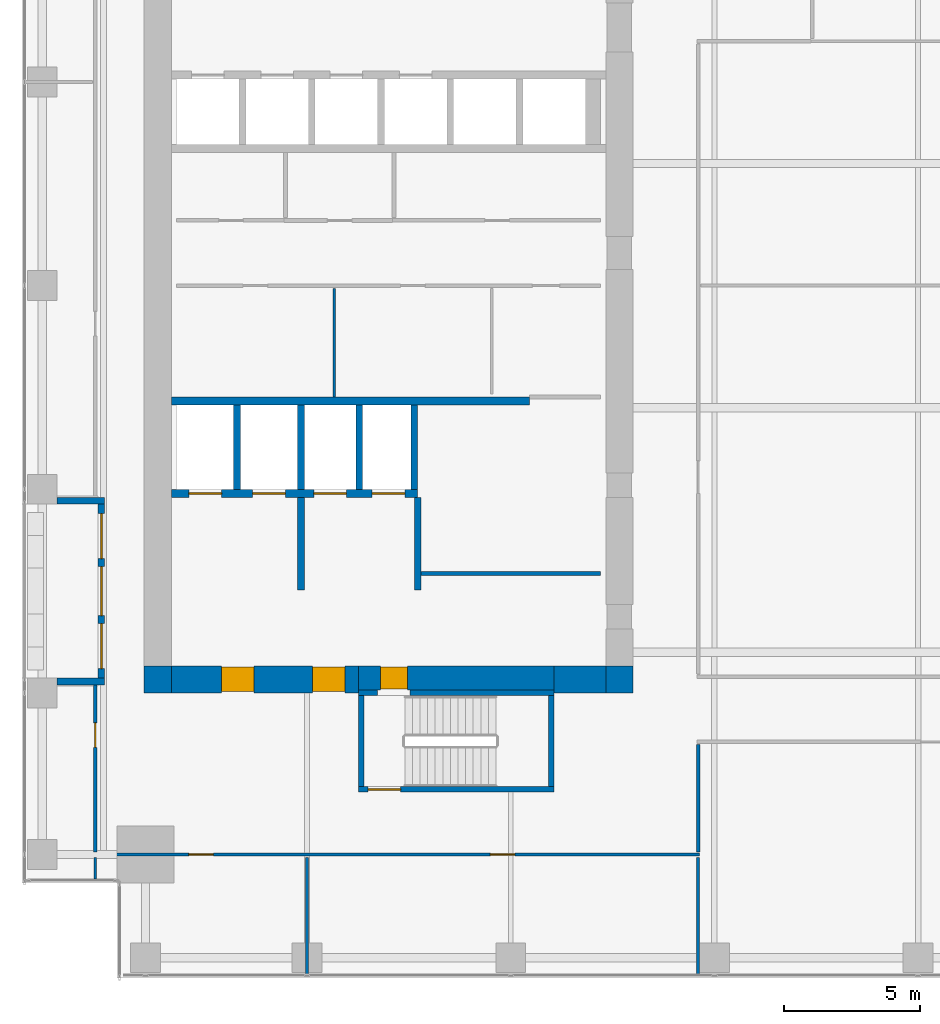
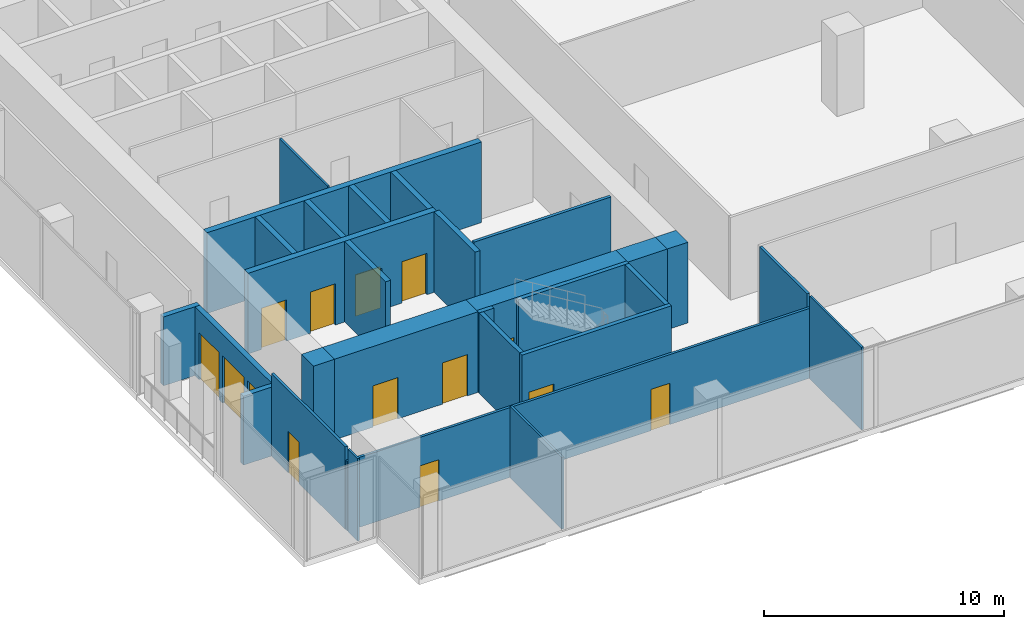
# One storey, part 27 of 33: 29 walls, 12 doors, 2 windows, 14 openings.
"""IFC4 building model written with IfcOpenShell, lengths in metres."""

import ifcopenshell
import ifcopenshell.guid

model = None  # the IFC model being written
_history = None  # IfcOwnerHistory: only IFC2X3 demands one
_inside = {}  # id of a spatial element -> (the spatial element, [elements in it])
_under = {}  # id of a project, library or spatial element -> (it, [spatial elements below it])
_declared = {}  # id of a project -> (the project, [libraries it declares])
_typed = {}  # id of a type object -> (the type object, [elements of that type])
_made_of = {}  # id of a material, layer set ... -> (it, [elements and type objects made of it])


def new_model(schema):
    """Start an empty IFC model of exactly this schema.

    Asked for "IFC4X3", IfcOpenShell would pick the latest addendum, in which some entities
    have other attributes; the version numbers below select the first issue.
    IFC2X3 requires an IfcOwnerHistory on every rooted entity: one is made here for all.
    """
    global model, _history
    if schema == "IFC4X3":
        model = ifcopenshell.file(schema_version=(4, 3, 0, 0))
    else:
        model = ifcopenshell.file(schema=schema)
    _inside.clear()
    _under.clear()
    _declared.clear()
    _typed.clear()
    _made_of.clear()
    _history = None
    if model.schema == "IFC2X3":
        org = make("IfcOrganization", Name="unknown")
        user = make(
            "IfcPersonAndOrganization",
            ThePerson=make("IfcPerson", FamilyName="unknown"),
            TheOrganization=org,
        )
        app = make(
            "IfcApplication",
            ApplicationDeveloper=org,
            Version="unknown",
            ApplicationFullName="unknown",
            ApplicationIdentifier="unknown",
        )
        _history = make(
            "IfcOwnerHistory",
            OwningUser=user,
            OwningApplication=app,
            ChangeAction="ADDED",
            CreationDate=0,
        )
    return model


def make(cls, **values):
    """One entity of the class cls with the attributes given. An attribute that is None is left unset."""
    return model.create_entity(
        cls, **{name: value for name, value in values.items() if value is not None}
    )


def rooted(cls, **values):
    """An entity with a GlobalId (a new one), such as an element, a storey or a relation."""
    return make(cls, GlobalId=ifcopenshell.guid.new(), OwnerHistory=_history, **values)


def si_unit(unit_type, name, prefix=None):
    """IfcSIUnit, for example si_unit("LENGTHUNIT", "METRE", prefix="MILLI")."""
    return make("IfcSIUnit", UnitType=unit_type, Prefix=prefix, Name=name)


def assignment(units):
    """IfcUnitAssignment: the units of a project."""
    return None if units is None else make("IfcUnitAssignment", Units=units)


def point(xyz):
    """IfcCartesianPoint."""
    return None if xyz is None else make("IfcCartesianPoint", Coordinates=xyz)


def direction(xyz):
    """IfcDirection."""
    return None if xyz is None else make("IfcDirection", DirectionRatios=xyz)


def frame(location, z_axis=None, x_axis=None):
    """IfcAxis2Placement3D, a coordinate frame: its origin and axes. An axis left out is left unset."""
    return make(
        "IfcAxis2Placement3D",
        Location=point(location),
        Axis=direction(z_axis),
        RefDirection=direction(x_axis),
    )


def frame_2d(location, x_axis=None):
    """IfcAxis2Placement2D, a coordinate frame in the plane: its origin and x axis."""
    return make(
        "IfcAxis2Placement2D", Location=point(location), RefDirection=direction(x_axis)
    )


def origin():
    """The frame at (0, 0, 0) with its axes left unset."""
    return frame((0.0, 0.0, 0.0))


def place(relative_to, where):
    """IfcLocalPlacement: puts the frame where relative to a parent placement (None: the world)."""
    return make(
        "IfcLocalPlacement", PlacementRelTo=relative_to, RelativePlacement=where
    )


def context(
    kind, dimensions, precision=None, world=None, true_north=None, identifier=None
):
    """IfcGeometricRepresentationContext, for example the 3D "Model" context."""
    return make(
        "IfcGeometricRepresentationContext",
        ContextIdentifier=identifier,
        ContextType=kind,
        CoordinateSpaceDimension=dimensions,
        Precision=precision,
        WorldCoordinateSystem=world,
        TrueNorth=true_north,
    )


def subcontext(parent, identifier, kind, view, scale=None):
    """IfcGeometricRepresentationSubContext, for example "Body" below "Model"."""
    return make(
        "IfcGeometricRepresentationSubContext",
        ContextIdentifier=identifier,
        ContextType=kind,
        ParentContext=parent,
        TargetScale=scale,
        TargetView=view,
    )


def project(units=None, contexts=None):
    """IfcProject with its units and contexts."""
    return rooted(
        "IfcProject",
        Name="project",
        RepresentationContexts=contexts,
        UnitsInContext=assignment(units),
    )


def spatial(cls, under=None, at=None, **own):
    """A site, building, storey or space (cls), placed at a placement, below another one or the project."""
    s = rooted(cls, ObjectPlacement=at, **own)
    if under is not None:
        _under.setdefault(under.id(), (under, []))[1].append(s)
    return s


def profile(cls, at=None, kind="AREA", **sizes):
    """A parametric profile (cls). Its sizes go by their IFC names, for example OverallWidth=200.0."""
    return make(cls, ProfileType=kind, Position=at, **sizes)


def rectangle(**sizes):
    """IfcRectangleProfileDef."""
    return profile("IfcRectangleProfileDef", **sizes)


def extrude(swept, where, along, depth):
    """IfcExtrudedAreaSolid: the profile swept, set in the frame where, extruded along a direction by depth."""
    return make(
        "IfcExtrudedAreaSolid",
        SweptArea=swept,
        Position=where,
        ExtrudedDirection=direction(along),
        Depth=depth,
    )


def shape(context_of_items, identifier, shape_type, items):
    """IfcShapeRepresentation: the items that make up one representation, for example the "Body"."""
    return make(
        "IfcShapeRepresentation",
        ContextOfItems=context_of_items,
        RepresentationIdentifier=identifier,
        RepresentationType=shape_type,
        Items=items,
    )


def source(mapping_origin, context_of_items, identifier, shape_type, items):
    """IfcRepresentationMap: a shape defined once, which mapped items show again and again."""
    return make(
        "IfcRepresentationMap",
        MappingOrigin=mapping_origin,
        MappedRepresentation=shape(context_of_items, identifier, shape_type, items),
    )


def transform(
    local_origin,
    x_axis=None,
    y_axis=None,
    z_axis=None,
    scale=None,
    scale2=None,
    scale3=None,
    uniform=True,
):
    """IfcCartesianTransformationOperator3D, or its non-uniform kind. x_axis, y_axis, z_axis: its Axis1, 2, 3."""
    if uniform:
        return make(
            "IfcCartesianTransformationOperator3D",
            Axis1=direction(x_axis),
            Axis2=direction(y_axis),
            LocalOrigin=point(local_origin),
            Scale=scale,
            Axis3=direction(z_axis),
        )
    return make(
        "IfcCartesianTransformationOperator3DnonUniform",
        Axis1=direction(x_axis),
        Axis2=direction(y_axis),
        LocalOrigin=point(local_origin),
        Scale=scale,
        Axis3=direction(z_axis),
        Scale2=scale2,
        Scale3=scale3,
    )


def mapped(mapping_source, mapping_target):
    """IfcMappedItem: shows the shape of a source again, moved by a transform."""
    return make(
        "IfcMappedItem", MappingSource=mapping_source, MappingTarget=mapping_target
    )


def material(Name=None, Category=None):
    """IfcMaterial."""
    return make("IfcMaterial", Name=Name, Category=Category)


def layer(
    of_material, thickness, ventilated=None, Name=None, Category=None, Priority=None
):
    """IfcMaterialLayer: one layer of a wall or slab, of a material (None: an air gap)."""
    return make(
        "IfcMaterialLayer",
        Material=of_material,
        LayerThickness=thickness,
        IsVentilated=ventilated,
        Name=Name,
        Category=Category,
        Priority=Priority,
    )


def layer_set(layers, Name=None):
    """IfcMaterialLayerSet."""
    return make("IfcMaterialLayerSet", MaterialLayers=layers, LayerSetName=Name)


def made_of(thing, what):
    """Note that an element or type object is made of a material, layer set ...; save() writes the relation."""
    if what is not None:
        _made_of.setdefault(what.id(), (what, []))[1].append(thing)
    return thing


def type_object(cls, material=None, **own):
    """A type object (cls), such as IfcWallType, which elements share."""
    return made_of(rooted(cls, **own), material)


def element(
    cls,
    number,
    at=None,
    inside=None,
    cuts=None,
    type_object=None,
    material=None,
    context=None,
    identifier="Body",
    shape_type=None,
    held_by="IfcProductDefinitionShape",
    body=None,
    shapes=None,
    **own,
):
    """One element of the class cls, such as IfcWall. Its Tag is "e" and its number.

    at: its placement. inside: the storey or other place that contains it. cuts: it is an
    opening in that element (IfcRelVoidsElement). A single representation is given by context,
    identifier, shape_type and body (its items); several are given by shapes. held_by: the class
    of the entity that holds the representations. save() writes the other relations.
    """
    e = rooted(cls, Tag="e%d" % number, ObjectPlacement=at, **own)
    if body is not None:
        shapes = [shape(context, identifier, shape_type, body)]
    if shapes is not None:
        e.Representation = make(held_by, Representations=shapes)
    if inside is not None:
        _inside.setdefault(inside.id(), (inside, []))[1].append(e)
    if cuts is not None:
        rooted(
            "IfcRelVoidsElement", RelatingBuildingElement=cuts, RelatedOpeningElement=e
        )
    if type_object is not None:
        _typed.setdefault(type_object.id(), (type_object, []))[1].append(e)
    return made_of(e, material)


def fill(opening, filler):
    """IfcRelFillsElement: the door or window that sits in an opening."""
    return rooted(
        "IfcRelFillsElement",
        RelatingOpeningElement=opening,
        RelatedBuildingElement=filler,
    )


def aggregate(whole, parts):
    """IfcRelAggregates: a whole, such as a stair, and the parts it consists of."""
    return rooted("IfcRelAggregates", RelatingObject=whole, RelatedObjects=parts)


def save(model, path):
    """Write the relations noted so far, then the file.

    IfcRelAggregates (storeys below a building ...), IfcRelContainedInSpatialStructure (elements
    in a storey), IfcRelDefinesByType, IfcRelAssociatesMaterial and IfcRelDeclares: one each for
    every whole, place, type object, material and project.
    """
    for whole, parts in _under.values():
        aggregate(whole, parts)
    for where, things in _inside.values():
        rooted(
            "IfcRelContainedInSpatialStructure",
            RelatedElements=things,
            RelatingStructure=where,
        )
    for kind, things in _typed.values():
        rooted("IfcRelDefinesByType", RelatedObjects=things, RelatingType=kind)
    for what, things in _made_of.values():
        rooted("IfcRelAssociatesMaterial", RelatedObjects=things, RelatingMaterial=what)
    for by, libraries in _declared.values():
        rooted("IfcRelDeclares", RelatingContext=by, RelatedDefinitions=libraries)
    model.write(path)


model = new_model("IFC4")

# Units and contexts
model_context = context("Model", 3, precision=1e-05, world=origin(), true_north=direction((0.0, 1.0)))
body_context = subcontext(model_context, "Body", "Model", "MODEL_VIEW")
ifc_project = project(units=[si_unit("LENGTHUNIT", "METRE"), si_unit("AREAUNIT", "SQUARE_METRE"), si_unit("VOLUMEUNIT", "CUBIC_METRE"), si_unit("PLANEANGLEUNIT", "RADIAN"), si_unit("MASSUNIT", "GRAM", prefix="KILO")], contexts=[model_context])

# Site, building, storey
site_placement = place(None, origin())
site = spatial("IfcSite", under=ifc_project, at=site_placement, CompositionType="ELEMENT")
building_placement = place(site_placement, origin())
building = spatial("IfcBuilding", under=site, at=building_placement, Name="Khomas Fold Tower", CompositionType="ELEMENT")
storey_placement = place(building_placement, frame((0.0, 0.0, 149.89990234375)))
storey = spatial("IfcBuildingStorey", under=building, at=storey_placement, Name="L32", CompositionType="ELEMENT", Elevation=149.89990234375)

# Wall, openings, doors
ifc_material_1 = material(Name="Concrete C70/85", Category="concrete")
ifc_layer_1 = layer(ifc_material_1, 1.0)
ifc_layer_set_1 = layer_set([ifc_layer_1], Name="Concrete C70/85")
wall_type_1 = type_object("IfcWallType", Name="Core wall 1000", PredefinedType="SHEAR", material=ifc_layer_set_1)
shared_shape_1 = source(origin(), body_context, "Body", "SweptSolid", [
    extrude(rectangle(XDim=6.89990234375, YDim=1.0, at=frame_2d((3.449951171875, 0.0))), origin(), (0.0, 0.0, 1.0), 4.10009765625),
])
wall_1_placement = place(storey_placement, frame((7.0, 12.5, 0.0), z_axis=(0.0, 0.0, 1.0), x_axis=(1.0, 0.0, 0.0)))
wall_1 = element("IfcWall", 1, at=wall_1_placement, inside=storey, type_object=wall_type_1, Name="Core wall CW-L-S-L21", PredefinedType="SHEAR", context=body_context, shape_type="MappedRepresentation", body=[
    mapped(shared_shape_1, transform((0.0, 0.0, 0.0))),
])
shared_shape_2 = source(origin(), body_context, "Body", "SweptSolid", [
    extrude(rectangle(XDim=1.199951171875, YDim=2.10009765625, at=frame_2d((0.60009765625, 1.050048828125))), frame((0.0, 0.510009765625, 0.0), z_axis=(0.0, -1.0, 0.0), x_axis=(1.0, 0.0, 0.0)), (0.0, 0.0, 1.0), 1.02001953125),
])
opening_1_placement = place(wall_1_placement, frame((5.199951171875, 0.0, 0.0)))
opening_1 = element("IfcOpeningElement", 2, at=opening_1_placement, cuts=wall_1, Name="Opening 0009", PredefinedType="OPENING", context=body_context, shape_type="MappedRepresentation", body=[
    mapped(shared_shape_2, transform((0.0, 0.0, 0.0))),
])
opening_2_placement = place(wall_1_placement, frame((1.85009765625, 0.0, 0.0)))
opening_2 = element("IfcOpeningElement", 3, at=opening_2_placement, cuts=wall_1, Name="Opening 0009", PredefinedType="OPENING", context=body_context, shape_type="MappedRepresentation", body=[
    mapped(shared_shape_2, transform((0.0, 0.0, 0.0))),
])
ifc_material_2 = material(Name="Steel door leaf", Category="steel")
door_type_1 = type_object("IfcDoorType", Name="Lobby door 1200x2100 right-hand", OperationType="SINGLE_SWING_RIGHT", PredefinedType="DOOR", material=ifc_material_2)
shared_shape_3 = source(origin(), body_context, "Body", "SweptSolid", [
    extrude(rectangle(XDim=1.199951171875, YDim=2.10009765625, at=frame_2d((0.60009765625, 1.050048828125))), frame((0.0, 0.449951171875, 0.0), z_axis=(0.0, -1.0, 0.0), x_axis=(1.0, 0.0, 0.0)), (0.0, 0.0, 1.0), 0.89990234375),
])
door_1_placement = place(opening_1_placement, origin())
door_1 = element("IfcDoor", 4, at=door_1_placement, inside=storey, type_object=door_type_1, Name="Lobby door", OperationType="SINGLE_SWING_RIGHT", OverallHeight=2.10009765625, OverallWidth=1.199951171875, PredefinedType="DOOR", context=body_context, shape_type="MappedRepresentation", body=[
    mapped(shared_shape_3, transform((0.0, 0.0, 0.0))),
])
fill(opening_1, door_1)
door_2_placement = place(opening_2_placement, origin())
door_2 = element("IfcDoor", 5, at=door_2_placement, inside=storey, type_object=door_type_1, Name="Lobby door", OperationType="SINGLE_SWING_RIGHT", OverallHeight=2.10009765625, OverallWidth=1.199951171875, PredefinedType="DOOR", context=body_context, shape_type="MappedRepresentation", body=[
    mapped(shared_shape_3, transform((0.0, 0.0, 0.0))),
])
fill(opening_2, door_2)

# Walls
ifc_material_3 = material(Name="Concrete C70/85", Category="concrete")
ifc_layer_2 = layer(ifc_material_3, 1.0)
ifc_layer_set_2 = layer_set([ifc_layer_2], Name="Concrete C70/85")
wall_type_2 = type_object("IfcWallType", Name="Core corner wall 1000", PredefinedType="SHEAR", material=ifc_layer_set_2)
shared_shape_4 = source(origin(), body_context, "Body", "SweptSolid", [
    extrude(rectangle(XDim=1.0, YDim=1.0, at=frame_2d((0.5, 0.0))), origin(), (0.0, 0.0, 1.0), 4.10009765625),
])
for number, where, z_axis, x_axis, name in (
    (6, (23.0, 12.5, 0.0), (0.0, 0.0, 1.0), (1.0, 0.0, 0.0), "Core wall CW-L-SE-L21"),
    (7, (6.0, 12.5, 0.0), (0.0, 0.0, 1.0), (1.0, 0.0, 0.0), "Core wall CW-L-SW-L21"),
):
    element("IfcWall", number, at=place(storey_placement, frame(where, z_axis=z_axis, x_axis=x_axis)), inside=storey, type_object=wall_type_2, Name=name, PredefinedType="SHEAR", context=body_context, shape_type="MappedRepresentation", body=[
        mapped(shared_shape_4, transform((0.0, 0.0, 0.0))),
    ])

# Wall, opening, door
ifc_material_4 = material(Name="Concrete C70/85", Category="concrete")
ifc_layer_3 = layer(ifc_material_4, 0.89990234375)
ifc_layer_set_3 = layer_set([ifc_layer_3], Name="Concrete C70/85")
wall_type_3 = type_object("IfcWallType", Name="Core wall 900", PredefinedType="SHEAR", material=ifc_layer_set_3)
shared_shape_5 = source(origin(), body_context, "Body", "SweptSolid", [
    extrude(rectangle(XDim=7.2001953125, YDim=0.89990234375, at=frame_2d((3.60009765625, 0.0))), origin(), (0.0, 0.0, 1.0), 4.10009765625),
])
wall_2_placement = place(storey_placement, frame((13.89990234375, 12.550048828125, 0.0), z_axis=(0.0, 0.0, 1.0), x_axis=(1.0, 0.0, 0.0)))
wall_2 = element("IfcWall", 8, at=wall_2_placement, inside=storey, type_object=wall_type_3, Name="Core wall CW-L-S-L21-1", PredefinedType="SHEAR", context=body_context, shape_type="MappedRepresentation", body=[
    mapped(shared_shape_5, transform((0.0, 0.0, 0.0))),
])
shared_shape_6 = source(origin(), body_context, "Body", "SweptSolid", [
    extrude(rectangle(XDim=1.0, YDim=2.10009765625, at=frame_2d((0.5, 1.050048828125))), frame((0.0, 0.4599609375, 0.0), z_axis=(0.0, -1.0, 0.0), x_axis=(1.0, 0.0, 0.0)), (0.0, 0.0, 1.0), 0.919921875),
])
opening_3_placement = place(wall_2_placement, frame((0.800048828125, 0.0, 0.0)))
opening_3 = element("IfcOpeningElement", 9, at=opening_3_placement, cuts=wall_2, Name="Opening 0010", PredefinedType="OPENING", context=body_context, shape_type="MappedRepresentation", body=[
    mapped(shared_shape_6, transform((0.0, 0.0, 0.0))),
])
ifc_material_5 = material(Name="Steel door leaf", Category="steel")
door_type_2 = type_object("IfcDoorType", Name="Stair door 1000x2100 right-hand", OperationType="SINGLE_SWING_RIGHT", PredefinedType="DOOR", material=ifc_material_5)
shared_shape_7 = source(origin(), body_context, "Body", "SweptSolid", [
    extrude(rectangle(XDim=1.0, YDim=2.10009765625, at=frame_2d((0.5, 1.050048828125))), frame((0.0, 0.39990234375, 0.0), z_axis=(0.0, -1.0, 0.0), x_axis=(1.0, 0.0, 0.0)), (0.0, 0.0, 1.0), 0.7998046875),
])
door_3_placement = place(opening_3_placement, origin())
door_3 = element("IfcDoor", 10, at=door_3_placement, inside=storey, type_object=door_type_2, Name="Stair door", OperationType="SINGLE_SWING_RIGHT", OverallHeight=2.10009765625, OverallWidth=1.0, PredefinedType="DOOR", context=body_context, shape_type="MappedRepresentation", body=[
    mapped(shared_shape_7, transform((0.0, 0.0, 0.0))),
])
fill(opening_3, door_3)

# Walls
shared_shape_8 = source(origin(), body_context, "Body", "SweptSolid", [
    extrude(rectangle(XDim=1.89990234375, YDim=1.0, at=frame_2d((0.949951171875, 0.0))), origin(), (0.0, 0.0, 1.0), 4.10009765625),
])
wall_3_placement = place(storey_placement, frame((21.10009765625, 12.5, 0.0), z_axis=(0.0, 0.0, 1.0), x_axis=(1.0, 0.0, 0.0)))
element("IfcWall", 11, at=wall_3_placement, inside=storey, type_object=wall_type_1, Name="Core wall CW-L-S-L21-2", PredefinedType="SHEAR", context=body_context, shape_type="MappedRepresentation", body=[
    mapped(shared_shape_8, transform((0.0, 0.0, 0.0))),
])
ifc_material_6 = material(Name="Concrete C50/60", Category="concrete")
ifc_layer_4 = layer(ifc_material_6, 0.199951171875)
ifc_layer_set_4 = layer_set([ifc_layer_4], Name="Concrete C50/60")
wall_type_4 = type_object("IfcWallType", Name="Stair wall 200", PredefinedType="SHEAR", material=ifc_layer_set_4)
shared_shape_9 = source(origin(), body_context, "Body", "SweptSolid", [
    extrude(rectangle(XDim=0.7001953125, YDim=0.199951171875, at=frame_2d((0.35009765625, 0.0))), origin(), (0.0, 0.0, 1.0), 4.10009765625),
])
wall_4_placement = place(storey_placement, frame((13.89990234375, 12.0, 0.0), z_axis=(0.0, 0.0, 1.0), x_axis=(1.0, 0.0, 0.0)))
element("IfcWall", 12, at=wall_4_placement, inside=storey, type_object=wall_type_4, Name="Stair wall SW-ST2-N", PredefinedType="SHEAR", context=body_context, shape_type="MappedRepresentation", body=[
    mapped(shared_shape_9, transform((0.0, 0.0, 0.0))),
])
shared_shape_10 = source(origin(), body_context, "Body", "SweptSolid", [
    extrude(rectangle(XDim=5.300048828125, YDim=0.199951171875, at=frame_2d((2.64990234375, 0.0))), origin(), (0.0, 0.0, 1.0), 4.10009765625),
])
wall_5_placement = place(storey_placement, frame((15.800048828125, 12.0, 0.0), z_axis=(0.0, 0.0, 1.0), x_axis=(1.0, 0.0, 0.0)))
element("IfcWall", 13, at=wall_5_placement, inside=storey, type_object=wall_type_4, Name="Stair wall SW-ST2-NB", PredefinedType="SHEAR", context=body_context, shape_type="MappedRepresentation", body=[
    mapped(shared_shape_10, transform((0.0, 0.0, 0.0))),
])

# Wall, opening, door
shared_shape_11 = source(origin(), body_context, "Body", "SweptSolid", [
    extrude(rectangle(XDim=7.2001953125, YDim=0.199951171875, at=frame_2d((3.60009765625, 0.0))), origin(), (0.0, 0.0, 1.0), 4.10009765625),
])
wall_6_placement = place(storey_placement, frame((13.89990234375, 8.449951171875, 0.0), z_axis=(0.0, 0.0, 1.0), x_axis=(1.0, 0.0, 0.0)))
wall_6 = element("IfcWall", 14, at=wall_6_placement, inside=storey, type_object=wall_type_4, Name="Stair wall SW-ST2-S", PredefinedType="SHEAR", context=body_context, shape_type="MappedRepresentation", body=[
    mapped(shared_shape_11, transform((0.0, 0.0, 0.0))),
])
shared_shape_12 = source(origin(), body_context, "Body", "SweptSolid", [
    extrude(rectangle(XDim=1.199951171875, YDim=2.10009765625, at=frame_2d((0.60009765625, 1.050048828125))), frame((0.0, 0.10986328125, 0.0), z_axis=(0.0, -1.0, 0.0), x_axis=(1.0, 0.0, 0.0)), (0.0, 0.0, 1.0), 0.219970703125),
])
opening_4_placement = place(wall_6_placement, frame((0.35009765625, 0.0, 0.0)))
opening_4 = element("IfcOpeningElement", 15, at=opening_4_placement, cuts=wall_6, Name="Opening SD-ST2", PredefinedType="OPENING", context=body_context, shape_type="MappedRepresentation", body=[
    mapped(shared_shape_12, transform((0.0, 0.0, 0.0))),
])
ifc_material_7 = material(Name="Steel door leaf", Category="steel")
door_type_3 = type_object("IfcDoorType", Name="Stair door 1200x2100 right-hand", OperationType="SINGLE_SWING_RIGHT", PredefinedType="DOOR", material=ifc_material_7)
shared_shape_13 = source(origin(), body_context, "Body", "SweptSolid", [
    extrude(rectangle(XDim=1.199951171875, YDim=2.10009765625, at=frame_2d((0.60009765625, 1.050048828125))), frame((0.0, 0.02490234375, 0.0), z_axis=(0.0, -1.0, 0.0), x_axis=(1.0, 0.0, 0.0)), (0.0, 0.0, 1.0), 0.050048828125),
])
door_4_placement = place(opening_4_placement, origin())
door_4 = element("IfcDoor", 16, at=door_4_placement, inside=storey, type_object=door_type_3, Name="Stair door", OperationType="SINGLE_SWING_RIGHT", OverallHeight=2.10009765625, OverallWidth=1.199951171875, PredefinedType="DOOR", context=body_context, shape_type="MappedRepresentation", body=[
    mapped(shared_shape_13, transform((0.0, 0.0, 0.0))),
])
fill(opening_4, door_4)

# Walls
shared_shape_14 = source(origin(), body_context, "Body", "SweptSolid", [
    extrude(rectangle(XDim=3.349853515625, YDim=0.199951171875, at=frame_2d((1.6748046875, 0.0))), origin(), (0.0, 0.0, 1.0), 4.10009765625),
])
for number, where, z_axis, x_axis, name in (
    (17, (21.0, 8.550048828125, 0.0), (0.0, 0.0, 1.0), (0.0, 1.0, 0.0), "Stair wall SW-ST2-E"),
    (18, (14.0, 8.550048828125, 0.0), (0.0, 0.0, 1.0), (0.0, 1.0, 0.0), "Stair wall SW-ST2-W"),
):
    element("IfcWall", number, at=place(storey_placement, frame(where, z_axis=z_axis, x_axis=x_axis)), inside=storey, type_object=wall_type_4, Name=name, PredefinedType="SHEAR", context=body_context, shape_type="MappedRepresentation", body=[
        mapped(shared_shape_14, transform((0.0, 0.0, 0.0))),
    ])
ifc_material_8 = material(Name="Concrete C50/60", Category="concrete")
ifc_layer_5 = layer(ifc_material_8, 0.300048828125)
ifc_layer_set_5 = layer_set([ifc_layer_5], Name="Concrete C50/60")
wall_type_5 = type_object("IfcWallType", Name="Shaft wall 300", PredefinedType="STANDARD", material=ifc_layer_set_5)
shared_shape_15 = source(origin(), body_context, "Body", "SweptSolid", [
    extrude(rectangle(XDim=13.199951171875, YDim=0.300048828125, at=frame_2d((6.60009765625, 0.0))), origin(), (0.0, 0.0, 1.0), 4.10009765625),
])
wall_7_placement = place(storey_placement, frame((7.0, 22.75, 0.0), z_axis=(0.0, 0.0, 1.0), x_axis=(1.0, 0.0, 0.0)))
element("IfcWall", 19, at=wall_7_placement, inside=storey, type_object=wall_type_5, Name="Core wall SW-FS-B", PredefinedType="STANDARD", context=body_context, shape_type="MappedRepresentation", body=[
    mapped(shared_shape_15, transform((0.0, 0.0, 0.0))),
])

# Wall, openings, doors
shared_shape_16 = source(origin(), body_context, "Body", "SweptSolid", [
    extrude(rectangle(XDim=9.074951171875, YDim=0.300048828125, at=frame_2d((4.53759765625, 0.0))), origin(), (0.0, 0.0, 1.0), 4.10009765625),
])
wall_8_placement = place(storey_placement, frame((7.0, 19.35009765625, 0.0), z_axis=(0.0, 0.0, 1.0), x_axis=(1.0, 0.0, 0.0)))
wall_8 = element("IfcWall", 20, at=wall_8_placement, inside=storey, type_object=wall_type_5, Name="Core wall SW-FS-F", PredefinedType="STANDARD", context=body_context, shape_type="MappedRepresentation", body=[
    mapped(shared_shape_16, transform((0.0, 0.0, 0.0))),
])
shared_shape_17 = source(origin(), body_context, "Body", "SweptSolid", [
    extrude(rectangle(XDim=1.199951171875, YDim=2.10009765625, at=frame_2d((0.60009765625, 1.050048828125))), frame((0.0, 0.159912109375, 0.0), z_axis=(0.0, -1.0, 0.0), x_axis=(1.0, 0.0, 0.0)), (0.0, 0.0, 1.0), 0.320068359375),
])
opening_5_placement = place(wall_8_placement, frame((0.64990234375, 0.0, 0.0)))
opening_5 = element("IfcOpeningElement", 21, at=opening_5_placement, cuts=wall_8, Name="Opening LD-SV1", PredefinedType="OPENING", context=body_context, shape_type="MappedRepresentation", body=[
    mapped(shared_shape_17, transform((0.0, 0.0, 0.0))),
])
opening_6_placement = place(wall_8_placement, frame((3.0, 0.0, 0.0)))
opening_6 = element("IfcOpeningElement", 22, at=opening_6_placement, cuts=wall_8, Name="Opening LD-SV2", PredefinedType="OPENING", context=body_context, shape_type="MappedRepresentation", body=[
    mapped(shared_shape_17, transform((0.0, 0.0, 0.0))),
])
opening_7_placement = place(wall_8_placement, frame((5.25, 0.0, 0.0)))
opening_7 = element("IfcOpeningElement", 23, at=opening_7_placement, cuts=wall_8, Name="Opening LD-FF1", PredefinedType="OPENING", context=body_context, shape_type="MappedRepresentation", body=[
    mapped(shared_shape_17, transform((0.0, 0.0, 0.0))),
])
opening_8_placement = place(wall_8_placement, frame((7.39990234375, 0.0, 0.0)))
opening_8 = element("IfcOpeningElement", 24, at=opening_8_placement, cuts=wall_8, Name="Opening LD-FF2", PredefinedType="OPENING", context=body_context, shape_type="MappedRepresentation", body=[
    mapped(shared_shape_17, transform((0.0, 0.0, 0.0))),
])
ifc_material_9 = material(Name="Steel door leaf", Category="steel")
door_type_4 = type_object("IfcDoorType", Name="Landing door 1200x2100", OperationType="DOUBLE_DOOR_SLIDING", PredefinedType="DOOR", material=ifc_material_9)
door_5_placement = place(opening_5_placement, origin())
door_5 = element("IfcDoor", 25, at=door_5_placement, inside=storey, type_object=door_type_4, Name="Lift landing door", OperationType="DOUBLE_DOOR_SLIDING", OverallHeight=2.10009765625, OverallWidth=1.199951171875, PredefinedType="DOOR", context=body_context, shape_type="MappedRepresentation", body=[
    mapped(shared_shape_13, transform((0.0, 0.0, 0.0))),
])
fill(opening_5, door_5)
door_6_placement = place(opening_6_placement, origin())
door_6 = element("IfcDoor", 26, at=door_6_placement, inside=storey, type_object=door_type_4, Name="Lift landing door", OperationType="DOUBLE_DOOR_SLIDING", OverallHeight=2.10009765625, OverallWidth=1.199951171875, PredefinedType="DOOR", context=body_context, shape_type="MappedRepresentation", body=[
    mapped(shared_shape_13, transform((0.0, 0.0, 0.0))),
])
fill(opening_6, door_6)
door_7_placement = place(opening_7_placement, origin())
door_7 = element("IfcDoor", 27, at=door_7_placement, inside=storey, type_object=door_type_4, Name="Lift landing door", OperationType="DOUBLE_DOOR_SLIDING", OverallHeight=2.10009765625, OverallWidth=1.199951171875, PredefinedType="DOOR", context=body_context, shape_type="MappedRepresentation", body=[
    mapped(shared_shape_13, transform((0.0, 0.0, 0.0))),
])
fill(opening_7, door_7)
door_8_placement = place(opening_8_placement, origin())
door_8 = element("IfcDoor", 28, at=door_8_placement, inside=storey, type_object=door_type_4, Name="Lift landing door", OperationType="DOUBLE_DOOR_SLIDING", OverallHeight=2.10009765625, OverallWidth=1.199951171875, PredefinedType="DOOR", context=body_context, shape_type="MappedRepresentation", body=[
    mapped(shared_shape_13, transform((0.0, 0.0, 0.0))),
])
fill(opening_8, door_8)

# Walls
ifc_material_10 = material(Name="Concrete C50/60", Category="concrete")
ifc_layer_6 = layer(ifc_material_10, 0.25)
ifc_layer_set_6 = layer_set([ifc_layer_6], Name="Concrete C50/60")
wall_type_6 = type_object("IfcWallType", Name="Shaft wall 250", PredefinedType="STANDARD", material=ifc_layer_set_6)
shared_shape_18 = source(origin(), body_context, "Body", "SweptSolid", [
    extrude(rectangle(XDim=3.10009765625, YDim=0.25, at=frame_2d((1.550048828125, 0.0))), origin(), (0.0, 0.0, 1.0), 4.10009765625),
])
for number, where, z_axis, x_axis, name in (
    (29, (9.425048828125, 19.5, 0.0), (0.0, 0.0, 1.0), (0.0, 1.0, 0.0), "Core wall SW-FS-P1"),
    (30, (11.77490234375, 19.5, 0.0), (0.0, 0.0, 1.0), (0.0, 1.0, 0.0), "Core wall SW-FS-P2"),
    (31, (13.925048828125, 19.5, 0.0), (0.0, 0.0, 1.0), (0.0, 1.0, 0.0), "Core wall SW-FS-P3"),
    (32, (15.949951171875, 19.5, 0.0), (0.0, 0.0, 1.0), (0.0, 1.0, 0.0), "Core wall SW-FS-PE"),
):
    element("IfcWall", number, at=place(storey_placement, frame(where, z_axis=z_axis, x_axis=x_axis)), inside=storey, type_object=wall_type_6, Name=name, PredefinedType="STANDARD", context=body_context, shape_type="MappedRepresentation", body=[
        mapped(shared_shape_18, transform((0.0, 0.0, 0.0))),
    ])
ifc_material_11 = material(Name="Concrete C50/60", Category="concrete")
ifc_layer_7 = layer(ifc_material_11, 0.25)
ifc_layer_set_7 = layer_set([ifc_layer_7], Name="Concrete C50/60")
wall_type_7 = type_object("IfcWallType", Name="Lobby wall 250", PredefinedType="STANDARD", material=ifc_layer_set_7)
shared_shape_19 = source(origin(), body_context, "Body", "SweptSolid", [
    extrude(rectangle(XDim=3.39990234375, YDim=0.25, at=frame_2d((1.699951171875, 0.0))), origin(), (0.0, 0.0, 1.0), 4.10009765625),
])
for number, where, z_axis, x_axis, name in (
    (33, (16.074951171875, 15.800048828125, 0.0), (0.0, 0.0, 1.0), (0.0, 1.0, 0.0), "Core wall SW-FS-LOB-E"),
    (34, (11.77490234375, 15.800048828125, 0.0), (0.0, 0.0, 1.0), (0.0, 1.0, 0.0), "Core wall SW-FS-SEP"),
):
    element("IfcWall", number, at=place(storey_placement, frame(where, z_axis=z_axis, x_axis=x_axis)), inside=storey, type_object=wall_type_7, Name=name, PredefinedType="STANDARD", context=body_context, shape_type="MappedRepresentation", body=[
        mapped(shared_shape_19, transform((0.0, 0.0, 0.0))),
    ])

# Wall, openings, door, windows
ifc_material_12 = material(Name="Natural stone", Category="masonry")
ifc_layer_8 = layer(ifc_material_12, 0.0400390625)
ifc_material_13 = material(Name="Mineral wool insulation", Category="insulation")
ifc_layer_9 = layer(ifc_material_13, 0.10009765625)
ifc_material_14 = material(Name="Masonry", Category="masonry")
ifc_layer_10 = layer(ifc_material_14, 0.110107421875)
ifc_layer_set_8 = layer_set([ifc_layer_8, ifc_layer_9, ifc_layer_10], Name="Stone-faced insulated masonry")
wall_type_8 = type_object("IfcWallType", Name="BL-Balcony wall", PredefinedType="SOLIDWALL", material=ifc_layer_set_8)
shared_shape_20 = source(origin(), body_context, "Body", "SweptSolid", [
    extrude(rectangle(XDim=6.39990234375, YDim=0.25, at=frame_2d((3.199951171875, 0.0))), origin(), (0.0, 0.0, 1.0), 3.5),
])
wall_9_placement = place(storey_placement, frame((4.425048828125, 12.550048828125, 0.0), z_axis=(0.0, 0.0, 1.0), x_axis=(0.0, 1.0, 0.0)))
wall_9 = element("IfcWall", 35, at=wall_9_placement, inside=storey, type_object=wall_type_8, Name="Balcony wall BAL-L32-W1", PredefinedType="SOLIDWALL", context=body_context, shape_type="MappedRepresentation", body=[
    mapped(shared_shape_20, transform((0.0, 0.0, 0.0))),
])
shared_shape_21 = source(origin(), body_context, "Body", "SweptSolid", [
    extrude(rectangle(XDim=1.64990234375, YDim=2.39990234375, at=frame_2d((0.824951171875, 1.199951171875))), frame((0.0, 0.135009765625, 0.0), z_axis=(0.0, -1.0, 0.0), x_axis=(1.0, 0.0, 0.0)), (0.0, 0.0, 1.0), 0.27001953125),
])
opening_9_placement = place(wall_9_placement, frame((0.35009765625, 0.0, 0.0)))
opening_9 = element("IfcOpeningElement", 36, at=opening_9_placement, cuts=wall_9, Name="Opening BL-W2", PredefinedType="OPENING", context=body_context, shape_type="MappedRepresentation", body=[
    mapped(shared_shape_21, transform((0.0, 0.0, 0.0))),
])
opening_10_placement = place(wall_9_placement, frame((4.39990234375, 0.0, 0.0)))
opening_10 = element("IfcOpeningElement", 37, at=opening_10_placement, cuts=wall_9, Name="Opening BL-W2", PredefinedType="OPENING", context=body_context, shape_type="MappedRepresentation", body=[
    mapped(shared_shape_21, transform((0.0, 0.0, 0.0))),
])
shared_shape_22 = source(origin(), body_context, "Body", "SweptSolid", [
    extrude(rectangle(XDim=1.800048828125, YDim=2.39990234375, at=frame_2d((0.89990234375, 1.199951171875))), frame((0.0, 0.135009765625, 0.0), z_axis=(0.0, -1.0, 0.0), x_axis=(1.0, 0.0, 0.0)), (0.0, 0.0, 1.0), 0.27001953125),
])
opening_11_placement = place(wall_9_placement, frame((2.300048828125, 0.0, 0.0)))
opening_11 = element("IfcOpeningElement", 38, at=opening_11_placement, cuts=wall_9, Name="Opening BD321", PredefinedType="OPENING", context=body_context, shape_type="MappedRepresentation", body=[
    mapped(shared_shape_22, transform((0.0, 0.0, 0.0))),
])
ifc_material_15 = material(Name="Aluminium framed double glazing", Category="aluminium")
door_type_5 = type_object("IfcDoorType", Name="BL-Glazed balcony door 1800 x 2400", OperationType="DOUBLE_DOOR_DOUBLE_SWING", PredefinedType="DOOR", material=ifc_material_15)
shared_shape_23 = source(origin(), body_context, "Body", "SweptSolid", [
    extrude(rectangle(XDim=1.800048828125, YDim=2.39990234375, at=frame_2d((0.89990234375, 1.199951171875))), frame((0.0, 0.02490234375, 0.0), z_axis=(0.0, -1.0, 0.0), x_axis=(1.0, 0.0, 0.0)), (0.0, 0.0, 1.0), 0.050048828125),
])
door_9_placement = place(opening_11_placement, origin())
door_9 = element("IfcDoor", 39, at=door_9_placement, inside=storey, type_object=door_type_5, Name="Balcony door BD321", OperationType="DOUBLE_DOOR_DOUBLE_SWING", OverallHeight=2.39990234375, OverallWidth=1.800048828125, PredefinedType="DOOR", context=body_context, shape_type="MappedRepresentation", body=[
    mapped(shared_shape_23, transform((0.0, 0.0, 0.0))),
])
fill(opening_11, door_9)
ifc_material_16 = material(Name="Aluminium framed double glazing", Category="aluminium")
window_type = type_object("IfcWindowType", Name="BL-Fixed glazing 1650 x 2400", PartitioningType="SINGLE_PANEL", PredefinedType="WINDOW", material=ifc_material_16)
shared_shape_24 = source(origin(), body_context, "Body", "SweptSolid", [
    extrude(rectangle(XDim=1.64990234375, YDim=2.39990234375, at=frame_2d((0.824951171875, 1.199951171875))), frame((0.0, 0.030029296875, 0.0), z_axis=(0.0, -1.0, 0.0), x_axis=(1.0, 0.0, 0.0)), (0.0, 0.0, 1.0), 0.06005859375),
])
window_1_placement = place(opening_9_placement, origin())
window_1 = element("IfcWindow", 40, at=window_1_placement, inside=storey, type_object=window_type, Name="Balcony glazing BAL-L32-W1-1", OverallHeight=2.39990234375, OverallWidth=1.64990234375, PartitioningType="SINGLE_PANEL", PredefinedType="WINDOW", context=body_context, shape_type="MappedRepresentation", body=[
    mapped(shared_shape_24, transform((0.0, 0.0, 0.0))),
])
fill(opening_9, window_1)
window_2_placement = place(opening_10_placement, origin())
window_2 = element("IfcWindow", 41, at=window_2_placement, inside=storey, type_object=window_type, Name="Balcony glazing BAL-L32-W1-2", OverallHeight=2.39990234375, OverallWidth=1.64990234375, PartitioningType="SINGLE_PANEL", PredefinedType="WINDOW", context=body_context, shape_type="MappedRepresentation", body=[
    mapped(shared_shape_24, transform((0.0, 0.0, 0.0))),
])
fill(opening_10, window_2)

# Walls
shared_shape_25 = source(origin(), body_context, "Body", "SweptSolid", [
    extrude(rectangle(XDim=1.75, YDim=0.25, at=frame_2d((0.875, 0.0))), origin(), (0.0, 0.0, 1.0), 3.5),
])
for number, where, z_axis, x_axis, name in (
    (42, (2.800048828125, 12.425048828125, 0.0), (0.0, 0.0, 1.0), (1.0, 0.0, 0.0), "Balcony return wall BAL-L32-W1-lo"),
    (43, (2.800048828125, 19.074951171875, 0.0), (0.0, 0.0, 1.0), (1.0, 0.0, 0.0), "Balcony return wall BAL-L32-W1-hi"),
):
    element("IfcWall", number, at=place(storey_placement, frame(where, z_axis=z_axis, x_axis=x_axis)), inside=storey, type_object=wall_type_8, Name=name, PredefinedType="SOLIDWALL", context=body_context, shape_type="MappedRepresentation", body=[
        mapped(shared_shape_25, transform((0.0, 0.0, 0.0))),
    ])

# Wall, openings, doors
ifc_material_17 = material(Name="Plasterboard partition")
ifc_layer_11 = layer(ifc_material_17, 0.125)
ifc_layer_set_9 = layer_set([ifc_layer_11], Name="Plasterboard partition")
wall_type_9 = type_object("IfcWallType", Name="Partition PW2 125", PredefinedType="PARTITIONING", material=ifc_layer_set_9)
shared_shape_26 = source(origin(), body_context, "Body", "SweptSolid", [
    extrude(rectangle(XDim=22.300048828125, YDim=0.125, at=frame_2d((11.14990234375, 0.0))), origin(), (0.0, 0.0, 1.0), 3.550048828125),
])
wall_10_placement = place(storey_placement, frame((4.14990234375, 6.050048828125, 0.0), z_axis=(0.0, 0.0, 1.0), x_axis=(1.0, 0.0, 0.0)))
wall_10 = element("IfcWall", 44, at=wall_10_placement, inside=storey, type_object=wall_type_9, Name="Partition", PredefinedType="PARTITIONING", context=body_context, shape_type="MappedRepresentation", body=[
    mapped(shared_shape_26, transform((0.0, 0.0, 0.0))),
])
shared_shape_27 = source(origin(), body_context, "Body", "SweptSolid", [
    extrude(rectangle(XDim=0.89990234375, YDim=2.10009765625, at=frame_2d((0.449951171875, 1.050048828125))), frame((0.0, 0.072509765625, 0.0), z_axis=(0.0, -1.0, 0.0), x_axis=(1.0, 0.0, 0.0)), (0.0, 0.0, 1.0), 0.14501953125),
])
opening_12_placement = place(wall_10_placement, frame((3.5, 0.0, 0.0)))
opening_12 = element("IfcOpeningElement", 45, at=opening_12_placement, cuts=wall_10, Name="Opening 0008", PredefinedType="OPENING", context=body_context, shape_type="MappedRepresentation", body=[
    mapped(shared_shape_27, transform((0.0, 0.0, 0.0))),
])
opening_13_placement = place(wall_10_placement, frame((14.60009765625, 0.0, 0.0)))
opening_13 = element("IfcOpeningElement", 46, at=opening_13_placement, cuts=wall_10, Name="Opening 0007", PredefinedType="OPENING", context=body_context, shape_type="MappedRepresentation", body=[
    mapped(shared_shape_27, transform((0.0, 0.0, 0.0))),
])
ifc_material_18 = material(Name="Timber door leaf", Category="wood")
door_type_6 = type_object("IfcDoorType", Name="Door 900x2100 right-hand", OperationType="SINGLE_SWING_RIGHT", PredefinedType="DOOR", material=ifc_material_18)
shared_shape_28 = source(origin(), body_context, "Body", "SweptSolid", [
    extrude(rectangle(XDim=0.89990234375, YDim=2.10009765625, at=frame_2d((0.449951171875, 1.050048828125))), frame((0.0, 0.02490234375, 0.0), z_axis=(0.0, -1.0, 0.0), x_axis=(1.0, 0.0, 0.0)), (0.0, 0.0, 1.0), 0.050048828125),
])
door_10_placement = place(opening_12_placement, origin())
door_10 = element("IfcDoor", 47, at=door_10_placement, inside=storey, type_object=door_type_6, Name="Door", OperationType="SINGLE_SWING_RIGHT", OverallHeight=2.10009765625, OverallWidth=0.89990234375, PredefinedType="DOOR", context=body_context, shape_type="MappedRepresentation", body=[
    mapped(shared_shape_28, transform((0.0, 0.0, 0.0))),
])
fill(opening_12, door_10)
ifc_material_19 = material(Name="Timber door leaf", Category="wood")
door_type_7 = type_object("IfcDoorType", Name="Door 900x2100 left-hand", OperationType="SINGLE_SWING_LEFT", PredefinedType="DOOR", material=ifc_material_19)
door_11_placement = place(opening_13_placement, origin())
door_11 = element("IfcDoor", 48, at=door_11_placement, inside=storey, type_object=door_type_7, Name="Door", OperationType="SINGLE_SWING_LEFT", OverallHeight=2.10009765625, OverallWidth=0.89990234375, PredefinedType="DOOR", context=body_context, shape_type="MappedRepresentation", body=[
    mapped(shared_shape_28, transform((0.0, 0.0, 0.0))),
])
fill(opening_13, door_11)

# Walls
ifc_material_20 = material(Name="Plasterboard partition")
ifc_layer_12 = layer(ifc_material_20, 0.10009765625)
ifc_layer_set_10 = layer_set([ifc_layer_12], Name="Plasterboard partition")
wall_type_10 = type_object("IfcWallType", Name="Partition PW1 100", PredefinedType="PARTITIONING", material=ifc_layer_set_10)
shared_shape_29 = source(origin(), body_context, "Body", "SweptSolid", [
    extrude(rectangle(XDim=4.300048828125, YDim=0.10009765625, at=frame_2d((2.14990234375, 0.0))), origin(), (0.0, 0.0, 1.0), 3.650146484375),
])
wall_11_placement = place(storey_placement, frame((12.0, 1.64990234375, 0.0), z_axis=(0.0, 0.0, 1.0), x_axis=(0.0, 1.0, 0.0)))
element("IfcWall", 49, at=wall_11_placement, inside=storey, type_object=wall_type_10, Name="Partition", PredefinedType="PARTITIONING", context=body_context, shape_type="MappedRepresentation", body=[
    mapped(shared_shape_29, transform((0.0, 0.0, 0.0))),
])
shared_shape_30 = source(origin(), body_context, "Body", "SweptSolid", [
    extrude(rectangle(XDim=4.300048828125, YDim=0.10009765625, at=frame_2d((2.14990234375, 0.0))), origin(), (0.0, 0.0, 1.0), 4.2001953125),
])
wall_12_placement = place(storey_placement, frame((26.39990234375, 1.64990234375, 0.0), z_axis=(0.0, 0.0, 1.0), x_axis=(0.0, 1.0, 0.0)))
element("IfcWall", 50, at=wall_12_placement, inside=storey, type_object=wall_type_10, Name="Partition", PredefinedType="PARTITIONING", context=body_context, shape_type="MappedRepresentation", body=[
    mapped(shared_shape_30, transform((0.0, 0.0, 0.0))),
])
shared_shape_31 = source(origin(), body_context, "Body", "SweptSolid", [
    extrude(rectangle(XDim=0.800048828125, YDim=0.10009765625, at=frame_2d((0.39990234375, 0.0))), origin(), (0.0, 0.0, 1.0), 4.2001953125),
])
wall_13_placement = place(storey_placement, frame((4.199951171875, 5.14990234375, 0.0), z_axis=(0.0, 0.0, 1.0), x_axis=(0.0, 1.0, 0.0)))
element("IfcWall", 51, at=wall_13_placement, inside=storey, type_object=wall_type_10, Name="Partition", PredefinedType="PARTITIONING", context=body_context, shape_type="MappedRepresentation", body=[
    mapped(shared_shape_31, transform((0.0, 0.0, 0.0))),
])
shared_shape_32 = source(origin(), body_context, "Body", "SweptSolid", [
    extrude(rectangle(XDim=3.9501953125, YDim=0.125, at=frame_2d((1.97509765625, 0.0))), origin(), (0.0, 0.0, 1.0), 4.2001953125),
])
wall_14_placement = place(storey_placement, frame((26.39990234375, 6.14990234375, 0.0), z_axis=(0.0, 0.0, 1.0), x_axis=(0.0, 1.0, 0.0)))
element("IfcWall", 52, at=wall_14_placement, inside=storey, type_object=wall_type_9, Name="Partition", PredefinedType="PARTITIONING", context=body_context, shape_type="MappedRepresentation", body=[
    mapped(shared_shape_32, transform((0.0, 0.0, 0.0))),
])
ifc_material_21 = material(Name="Plasterboard fire partition")
ifc_layer_13 = layer(ifc_material_21, 0.14990234375)
ifc_layer_set_11 = layer_set([ifc_layer_13], Name="Plasterboard fire partition")
wall_type_11 = type_object("IfcWallType", Name="Plant room wall PW3 150", PredefinedType="PARTITIONING", material=ifc_layer_set_11)
shared_shape_33 = source(origin(), body_context, "Body", "SweptSolid", [
    extrude(rectangle(XDim=6.60009765625, YDim=0.14990234375, at=frame_2d((3.300048828125, 0.0))), origin(), (0.0, 0.0, 1.0), 4.2001953125),
])
wall_15_placement = place(storey_placement, frame((16.199951171875, 16.39990234375, 0.0), z_axis=(0.0, 0.0, 1.0), x_axis=(1.0, 0.0, 0.0)))
element("IfcWall", 53, at=wall_15_placement, inside=storey, type_object=wall_type_11, Name="Plant room wall", PredefinedType="PARTITIONING", context=body_context, shape_type="MappedRepresentation", body=[
    mapped(shared_shape_33, transform((0.0, 0.0, 0.0))),
])

# Wall, opening, door
shared_shape_34 = source(origin(), body_context, "Body", "SweptSolid", [
    extrude(rectangle(XDim=6.150146484375, YDim=0.125, at=frame_2d((3.0751953125, 0.0))), origin(), (0.0, 0.0, 1.0), 4.2001953125),
])
wall_16_placement = place(storey_placement, frame((4.199951171875, 6.14990234375, 0.0), z_axis=(0.0, 0.0, 1.0), x_axis=(0.0, 1.0, 0.0)))
wall_16 = element("IfcWall", 54, at=wall_16_placement, inside=storey, type_object=wall_type_9, Name="Partition", PredefinedType="PARTITIONING", context=body_context, shape_type="MappedRepresentation", body=[
    mapped(shared_shape_34, transform((0.0, 0.0, 0.0))),
])
opening_14_placement = place(wall_16_placement, frame((3.85009765625, 0.0, 0.0)))
opening_14 = element("IfcOpeningElement", 55, at=opening_14_placement, cuts=wall_16, Name="Opening 0007", PredefinedType="OPENING", context=body_context, shape_type="MappedRepresentation", body=[
    mapped(shared_shape_27, transform((0.0, 0.0, 0.0))),
])
door_12_placement = place(opening_14_placement, origin())
door_12 = element("IfcDoor", 56, at=door_12_placement, inside=storey, type_object=door_type_7, Name="Door", OperationType="SINGLE_SWING_LEFT", OverallHeight=2.10009765625, OverallWidth=0.89990234375, PredefinedType="DOOR", context=body_context, shape_type="MappedRepresentation", body=[
    mapped(shared_shape_28, transform((0.0, 0.0, 0.0))),
])
fill(opening_14, door_12)

# Wall
shared_shape_35 = source(origin(), body_context, "Body", "SweptSolid", [
    extrude(rectangle(XDim=4.0, YDim=0.10009765625, at=frame_2d((2.0, 0.0))), origin(), (0.0, 0.0, 1.0), 4.2001953125),
])
wall_17_placement = place(storey_placement, frame((13.0, 22.89990234375, 0.0), z_axis=(0.0, 0.0, 1.0), x_axis=(0.0, 1.0, 0.0)))
element("IfcWall", 57, at=wall_17_placement, inside=storey, type_object=wall_type_10, Name="Partition", PredefinedType="PARTITIONING", context=body_context, shape_type="MappedRepresentation", body=[
    mapped(shared_shape_35, transform((0.0, 0.0, 0.0))),
])

save(model, "model.ifc")
